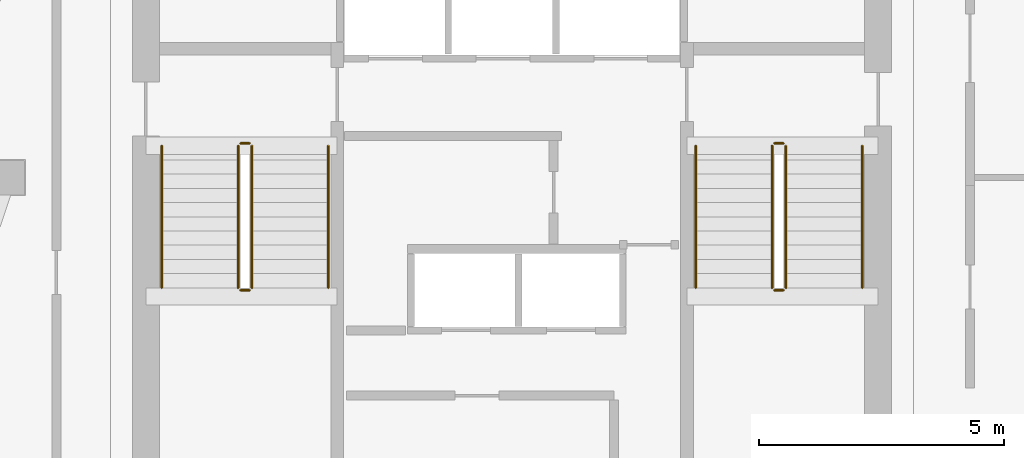
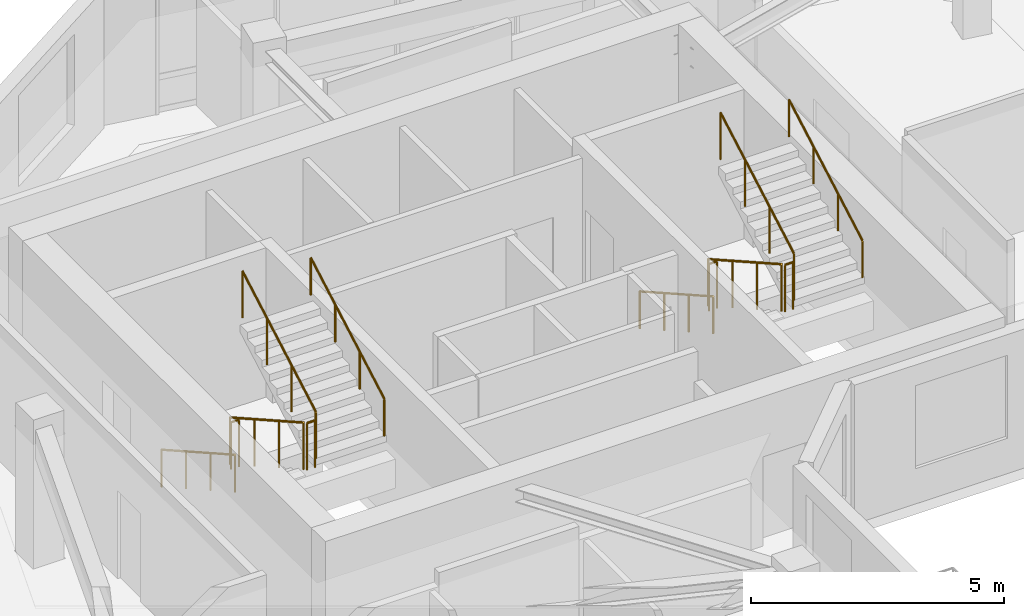
# One storey, part 7 of 7: 12 railings.
"""IFC4 building model written with IfcOpenShell, lengths in metres."""

from ifc_helpers import new_model, si_unit, direction, frame, origin, origin_2d, place, context, subcontext, project, spatial, circle, extrude, material, type_object, element, save


model = new_model("IFC4")

# Units and contexts
model_context = context("Model", 3, precision=1e-05, world=origin(), true_north=direction((0.0, 1.0)))
body_context = subcontext(model_context, "Body", "Model", "MODEL_VIEW")
ifc_project = project(units=[si_unit("LENGTHUNIT", "METRE"), si_unit("AREAUNIT", "SQUARE_METRE"), si_unit("VOLUMEUNIT", "CUBIC_METRE"), si_unit("PLANEANGLEUNIT", "RADIAN"), si_unit("MASSUNIT", "GRAM", prefix="KILO")], contexts=[model_context])

# Site, building, storey
site_placement = place(None, origin())
site = spatial("IfcSite", under=ifc_project, at=site_placement, CompositionType="ELEMENT")
building_placement = place(site_placement, origin())
building = spatial("IfcBuilding", under=site, at=building_placement, Name="Calvemar Wedge Station Tower", CompositionType="ELEMENT")
storey_placement = place(building_placement, frame((0.0, 0.0, 285.300048828125)))
storey = spatial("IfcBuildingStorey", under=building, at=storey_placement, Name="L73", CompositionType="ELEMENT", Elevation=285.300048828125)

# Railings
ifc_material_1 = material(Name="Stainless steel AISI 316L", Category="steel")
railing_type_1 = type_object("IfcRailingType", Name="RL-HANDRAIL-920", PredefinedType="HANDRAIL", material=ifc_material_1)
railing_1_placement = place(storey_placement, frame((16.64990234375, 41.14990234375, 0.16357421875)))
element("IfcRailing", 1, at=railing_1_placement, inside=storey, type_object=railing_type_1, Name="L73 ST-C1 stair handrail 1", PredefinedType="HANDRAIL", context=body_context, shape_type="SweptSolid", body=[
    extrude(circle(Radius=0.02392578125, at=origin_2d()), frame((0.0, 0.0, 0.89599609375), z_axis=(0.0, -0.870897200241, 0.491465224214), x_axis=(1.0, 0.0, 0.0)), (0.0, 0.0, 1.0), 3.329833984375),
    extrude(circle(Radius=0.02099609375, at=origin_2d()), origin(), (0.0, 0.0, 1.0), 0.871826171875),
    extrude(circle(Radius=0.02099609375, at=origin_2d()), frame((0.0, -0.966552734375, 0.54541015625)), (0.0, 0.0, 1.0), 0.871826171875),
    extrude(circle(Radius=0.02099609375, at=origin_2d()), frame((0.0, -1.933349609375, 1.091064453125)), (0.0, 0.0, 1.0), 0.871826171875),
    extrude(circle(Radius=0.02099609375, at=origin_2d()), frame((0.0, -2.89990234375, 1.636474609375)), (0.0, 0.0, 1.0), 0.871826171875),
])
railing_2_placement = place(storey_placement, frame((20.050048828125, 38.25, 1.963623046875)))
element("IfcRailing", 2, at=railing_2_placement, inside=storey, type_object=railing_type_1, Name="L73 ST-C1 stair handrail 2", PredefinedType="HANDRAIL", context=body_context, shape_type="SweptSolid", body=[
    extrude(circle(Radius=0.02392578125, at=origin_2d()), frame((0.0, 0.0, 0.89599609375), z_axis=(0.0, 0.870928581787, 0.491409610636), x_axis=(-1.0, 0.0, 0.0)), (0.0, 0.0, 1.0), 3.32958984375),
    extrude(circle(Radius=0.02099609375, at=origin_2d()), origin(), (0.0, 0.0, 1.0), 0.871826171875),
    extrude(circle(Radius=0.02099609375, at=origin_2d()), frame((0.0, 0.966552734375, 0.54541015625)), (0.0, 0.0, 1.0), 0.871826171875),
    extrude(circle(Radius=0.02099609375, at=origin_2d()), frame((0.0, 1.933349609375, 1.0908203125)), (0.0, 0.0, 1.0), 0.871826171875),
    extrude(circle(Radius=0.02099609375, at=origin_2d()), frame((0.0, 2.89990234375, 1.63623046875)), (0.0, 0.0, 1.0), 0.871826171875),
])
railing_3_placement = place(storey_placement, frame((27.550048828125, 41.14990234375, 0.16357421875)))
element("IfcRailing", 3, at=railing_3_placement, inside=storey, type_object=railing_type_1, Name="L73 ST-C2 stair handrail 1", PredefinedType="HANDRAIL", context=body_context, shape_type="SweptSolid", body=[
    extrude(circle(Radius=0.02392578125, at=origin_2d()), frame((0.0, 0.0, 0.89599609375), z_axis=(0.0, -0.870897200241, 0.491465224214), x_axis=(1.0, 0.0, 0.0)), (0.0, 0.0, 1.0), 3.329833984375),
    extrude(circle(Radius=0.02099609375, at=origin_2d()), origin(), (0.0, 0.0, 1.0), 0.871826171875),
    extrude(circle(Radius=0.02099609375, at=origin_2d()), frame((0.0, -0.966552734375, 0.54541015625)), (0.0, 0.0, 1.0), 0.871826171875),
    extrude(circle(Radius=0.02099609375, at=origin_2d()), frame((0.0, -1.933349609375, 1.091064453125)), (0.0, 0.0, 1.0), 0.871826171875),
    extrude(circle(Radius=0.02099609375, at=origin_2d()), frame((0.0, -2.89990234375, 1.636474609375)), (0.0, 0.0, 1.0), 0.871826171875),
])
railing_4_placement = place(storey_placement, frame((30.949951171875, 38.25, 1.963623046875)))
element("IfcRailing", 4, at=railing_4_placement, inside=storey, type_object=railing_type_1, Name="L73 ST-C2 stair handrail 2", PredefinedType="HANDRAIL", context=body_context, shape_type="SweptSolid", body=[
    extrude(circle(Radius=0.02392578125, at=origin_2d()), frame((0.0, 0.0, 0.89599609375), z_axis=(0.0, 0.870928581787, 0.491409610636), x_axis=(-1.0, 0.0, 0.0)), (0.0, 0.0, 1.0), 3.32958984375),
    extrude(circle(Radius=0.02099609375, at=origin_2d()), origin(), (0.0, 0.0, 1.0), 0.871826171875),
    extrude(circle(Radius=0.02099609375, at=origin_2d()), frame((0.0, 0.966552734375, 0.54541015625)), (0.0, 0.0, 1.0), 0.871826171875),
    extrude(circle(Radius=0.02099609375, at=origin_2d()), frame((0.0, 1.933349609375, 1.0908203125)), (0.0, 0.0, 1.0), 0.871826171875),
    extrude(circle(Radius=0.02099609375, at=origin_2d()), frame((0.0, 2.89990234375, 1.63623046875)), (0.0, 0.0, 1.0), 0.871826171875),
])
ifc_material_2 = material(Name="Painted steel guardrail ASTM A500 Grade C", Category="steel")
railing_type_2 = type_object("IfcRailingType", Name="RL-STAIR-GUARD-1150", PredefinedType="GUARDRAIL", material=ifc_material_2)
railing_5_placement = place(storey_placement, frame((18.2099609375, 41.14990234375, 0.16357421875)))
element("IfcRailing", 5, at=railing_5_placement, inside=storey, type_object=railing_type_2, Name="L73 ST-C1 stair guard 1", PredefinedType="GUARDRAIL", context=body_context, shape_type="SweptSolid", body=[
    extrude(circle(Radius=0.02392578125, at=origin_2d()), frame((0.0, 0.0, 1.1259765625), z_axis=(0.0, -0.870897200241, 0.491465224214), x_axis=(1.0, 0.0, 0.0)), (0.0, 0.0, 1.0), 3.329833984375),
    extrude(circle(Radius=0.02099609375, at=origin_2d()), origin(), (0.0, 0.0, 1.0), 1.101806640625),
    extrude(circle(Radius=0.02099609375, at=origin_2d()), frame((0.0, -0.966552734375, 0.54541015625)), (0.0, 0.0, 1.0), 1.101806640625),
    extrude(circle(Radius=0.02099609375, at=origin_2d()), frame((0.0, -1.933349609375, 1.091064453125)), (0.0, 0.0, 1.0), 1.101806640625),
    extrude(circle(Radius=0.02099609375, at=origin_2d()), frame((0.0, -2.89990234375, 1.636474609375)), (0.0, 0.0, 1.0), 1.101806640625),
])
railing_6_placement = place(storey_placement, frame((18.260009765625, 38.199951171875, 1.800048828125)))
element("IfcRailing", 6, at=railing_6_placement, inside=storey, type_object=railing_type_2, Name="L73 ST-C1 stair guard 2", PredefinedType="GUARDRAIL", context=body_context, shape_type="SweptSolid", body=[
    extrude(circle(Radius=0.02392578125, at=origin_2d()), frame((0.0, 0.0, 1.1259765625), z_axis=(1.0, 0.0, 0.0), x_axis=(0.0, 1.0, 0.0)), (0.0, 0.0, 1.0), 0.179931640625),
    extrude(circle(Radius=0.02099609375, at=origin_2d()), origin(), (0.0, 0.0, 1.0), 1.101806640625),
    extrude(circle(Radius=0.02099609375, at=origin_2d()), frame((0.179931640625, 0.0, 0.0)), (0.0, 0.0, 1.0), 1.101806640625),
])
railing_7_placement = place(storey_placement, frame((18.489990234375, 38.25, 1.963623046875)))
element("IfcRailing", 7, at=railing_7_placement, inside=storey, type_object=railing_type_2, Name="L73 ST-C1 stair guard 3", PredefinedType="GUARDRAIL", context=body_context, shape_type="SweptSolid", body=[
    extrude(circle(Radius=0.02392578125, at=origin_2d()), frame((0.0, 0.0, 1.1259765625), z_axis=(0.0, 0.870928581787, 0.491409610636), x_axis=(-1.0, 0.0, 0.0)), (0.0, 0.0, 1.0), 3.32958984375),
    extrude(circle(Radius=0.02099609375, at=origin_2d()), origin(), (0.0, 0.0, 1.0), 1.101806640625),
    extrude(circle(Radius=0.02099609375, at=origin_2d()), frame((0.0, 0.966552734375, 0.54541015625)), (0.0, 0.0, 1.0), 1.101806640625),
    extrude(circle(Radius=0.02099609375, at=origin_2d()), frame((0.0, 1.933349609375, 1.0908203125)), (0.0, 0.0, 1.0), 1.101806640625),
    extrude(circle(Radius=0.02099609375, at=origin_2d()), frame((0.0, 2.89990234375, 1.63623046875)), (0.0, 0.0, 1.0), 1.101806640625),
])
railing_8_placement = place(storey_placement, frame((18.260009765625, 41.199951171875, 0.0)))
element("IfcRailing", 8, at=railing_8_placement, inside=storey, type_object=railing_type_2, Name="L73 ST-C1 stair guard 4", PredefinedType="GUARDRAIL", context=body_context, shape_type="SweptSolid", body=[
    extrude(circle(Radius=0.02392578125, at=origin_2d()), frame((0.0, 0.0, 1.1259765625), z_axis=(1.0, 0.0, 0.0), x_axis=(0.0, 1.0, 0.0)), (0.0, 0.0, 1.0), 0.179931640625),
    extrude(circle(Radius=0.02099609375, at=origin_2d()), origin(), (0.0, 0.0, 1.0), 1.101806640625),
    extrude(circle(Radius=0.02099609375, at=origin_2d()), frame((0.179931640625, 0.0, 0.0)), (0.0, 0.0, 1.0), 1.101806640625),
])
railing_9_placement = place(storey_placement, frame((29.110107421875, 41.14990234375, 0.16357421875)))
element("IfcRailing", 9, at=railing_9_placement, inside=storey, type_object=railing_type_2, Name="L73 ST-C2 stair guard 1", PredefinedType="GUARDRAIL", context=body_context, shape_type="SweptSolid", body=[
    extrude(circle(Radius=0.02392578125, at=origin_2d()), frame((0.0, 0.0, 1.1259765625), z_axis=(0.0, -0.870897200241, 0.491465224214), x_axis=(1.0, 0.0, 0.0)), (0.0, 0.0, 1.0), 3.329833984375),
    extrude(circle(Radius=0.02099609375, at=origin_2d()), origin(), (0.0, 0.0, 1.0), 1.101806640625),
    extrude(circle(Radius=0.02099609375, at=origin_2d()), frame((0.0, -0.966552734375, 0.54541015625)), (0.0, 0.0, 1.0), 1.101806640625),
    extrude(circle(Radius=0.02099609375, at=origin_2d()), frame((0.0, -1.933349609375, 1.091064453125)), (0.0, 0.0, 1.0), 1.101806640625),
    extrude(circle(Radius=0.02099609375, at=origin_2d()), frame((0.0, -2.89990234375, 1.636474609375)), (0.0, 0.0, 1.0), 1.101806640625),
])
railing_10_placement = place(storey_placement, frame((29.159912109375, 38.199951171875, 1.800048828125)))
element("IfcRailing", 10, at=railing_10_placement, inside=storey, type_object=railing_type_2, Name="L73 ST-C2 stair guard 2", PredefinedType="GUARDRAIL", context=body_context, shape_type="SweptSolid", body=[
    extrude(circle(Radius=0.02392578125, at=origin_2d()), frame((0.0, 0.0, 1.1259765625), z_axis=(1.0, 0.0, 0.0), x_axis=(0.0, 1.0, 0.0)), (0.0, 0.0, 1.0), 0.18017578125),
    extrude(circle(Radius=0.02099609375, at=origin_2d()), origin(), (0.0, 0.0, 1.0), 1.101806640625),
    extrude(circle(Radius=0.02099609375, at=origin_2d()), frame((0.18017578125, 0.0, 0.0)), (0.0, 0.0, 1.0), 1.101806640625),
])
railing_11_placement = place(storey_placement, frame((29.389892578125, 38.25, 1.963623046875)))
element("IfcRailing", 11, at=railing_11_placement, inside=storey, type_object=railing_type_2, Name="L73 ST-C2 stair guard 3", PredefinedType="GUARDRAIL", context=body_context, shape_type="SweptSolid", body=[
    extrude(circle(Radius=0.02392578125, at=origin_2d()), frame((0.0, 0.0, 1.1259765625), z_axis=(0.0, 0.870928581787, 0.491409610636), x_axis=(-1.0, 0.0, 0.0)), (0.0, 0.0, 1.0), 3.32958984375),
    extrude(circle(Radius=0.02099609375, at=origin_2d()), origin(), (0.0, 0.0, 1.0), 1.101806640625),
    extrude(circle(Radius=0.02099609375, at=origin_2d()), frame((0.0, 0.966552734375, 0.54541015625)), (0.0, 0.0, 1.0), 1.101806640625),
    extrude(circle(Radius=0.02099609375, at=origin_2d()), frame((0.0, 1.933349609375, 1.0908203125)), (0.0, 0.0, 1.0), 1.101806640625),
    extrude(circle(Radius=0.02099609375, at=origin_2d()), frame((0.0, 2.89990234375, 1.63623046875)), (0.0, 0.0, 1.0), 1.101806640625),
])
railing_12_placement = place(storey_placement, frame((29.159912109375, 41.199951171875, 0.0)))
element("IfcRailing", 12, at=railing_12_placement, inside=storey, type_object=railing_type_2, Name="L73 ST-C2 stair guard 4", PredefinedType="GUARDRAIL", context=body_context, shape_type="SweptSolid", body=[
    extrude(circle(Radius=0.02392578125, at=origin_2d()), frame((0.0, 0.0, 1.1259765625), z_axis=(1.0, 0.0, 0.0), x_axis=(0.0, 1.0, 0.0)), (0.0, 0.0, 1.0), 0.18017578125),
    extrude(circle(Radius=0.02099609375, at=origin_2d()), origin(), (0.0, 0.0, 1.0), 1.101806640625),
    extrude(circle(Radius=0.02099609375, at=origin_2d()), frame((0.18017578125, 0.0, 0.0)), (0.0, 0.0, 1.0), 1.101806640625),
])

save(model, "model.ifc")
